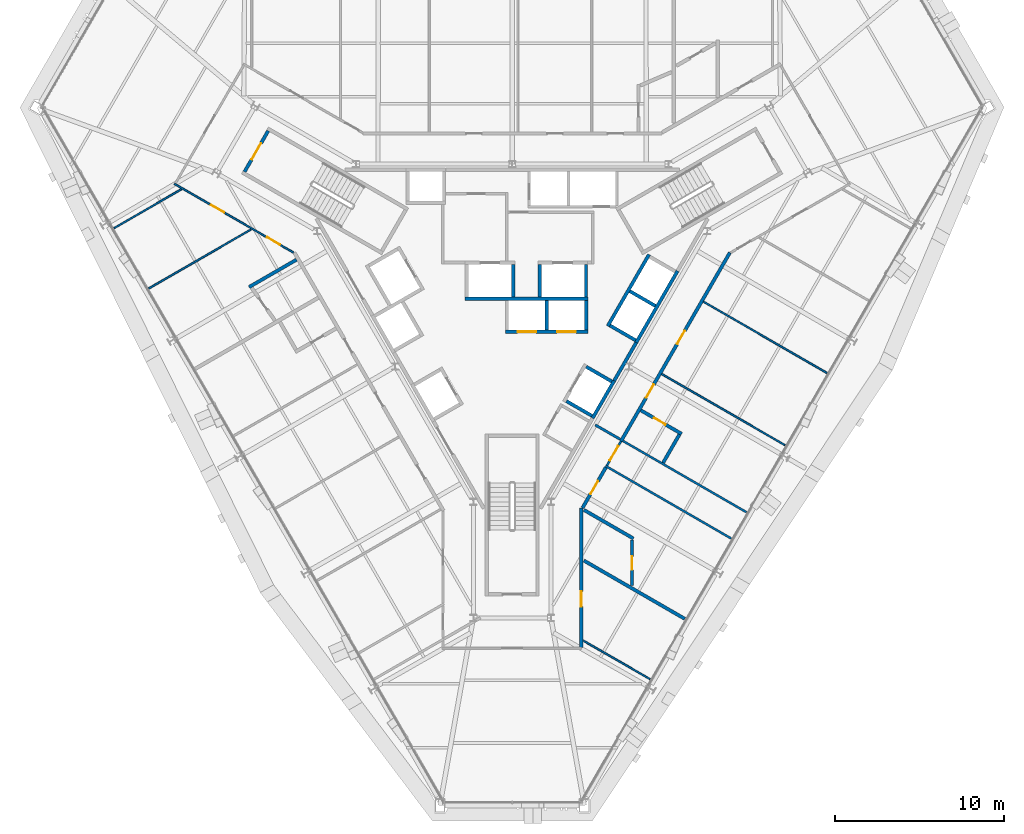
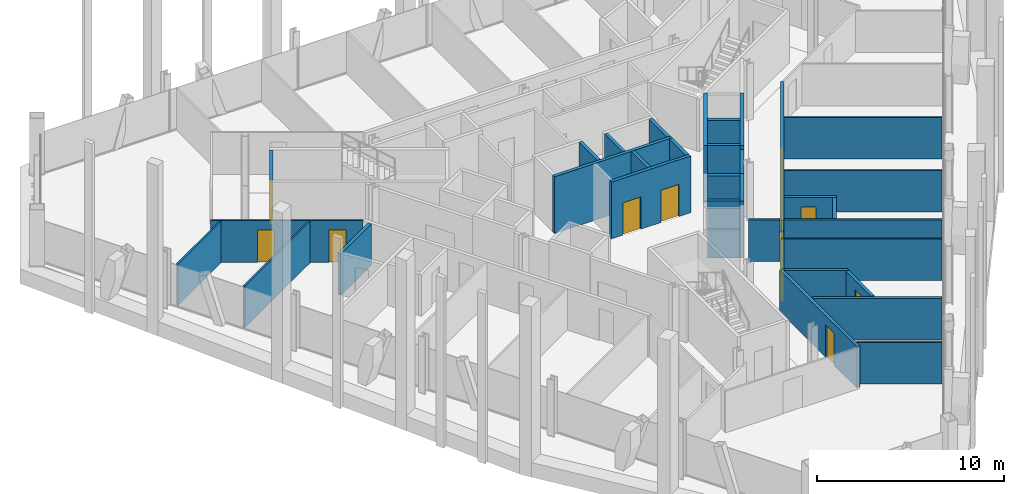
# One storey, part 11 of 15: 35 walls, 12 doors, 12 openings.
"""IFC4 building model written with IfcOpenShell, lengths in metres."""

from ifc_helpers import new_model, si_unit, direction, frame, frame_2d, origin, place, context, subcontext, project, spatial, rectangle, extrude, material, layer, layer_set, type_object, element, fill, save


model = new_model("IFC4")

# Units and contexts
model_context = context("Model", 3, precision=1e-05, world=origin(), true_north=direction((0.0, 1.0)))
body_context = subcontext(model_context, "Body", "Model", "MODEL_VIEW")
ifc_project = project(units=[si_unit("LENGTHUNIT", "METRE"), si_unit("AREAUNIT", "SQUARE_METRE"), si_unit("VOLUMEUNIT", "CUBIC_METRE"), si_unit("PLANEANGLEUNIT", "RADIAN"), si_unit("MASSUNIT", "GRAM", prefix="KILO")], contexts=[model_context])

# Site, building, storey
site_placement = place(None, origin())
site = spatial("IfcSite", under=ifc_project, at=site_placement, CompositionType="ELEMENT")
building_placement = place(site_placement, origin())
building = spatial("IfcBuilding", under=site, at=building_placement, Name="Verrane Prism Tower", CompositionType="ELEMENT")
storey_placement = place(building_placement, frame((0.0, 0.0, 189.5)))
storey = spatial("IfcBuildingStorey", under=building, at=storey_placement, Name="L47", CompositionType="ELEMENT", Elevation=189.5)

# Wall
ifc_material_1 = material(Name="Gypsum board partition", Category="other")
ifc_layer_1 = layer(ifc_material_1, 0.199951171875)
ifc_layer_set_1 = layer_set([ifc_layer_1], Name="CW-200 core boundary wall 2 h")
wall_type_1 = type_object("IfcWallType", Name="CW-200 core boundary wall 2 h", PredefinedType="PARTITIONING", material=ifc_layer_set_1)
wall_1_placement = place(storey_placement, frame((6.0419921875, -4.85498046875, 0.0), z_axis=(0.0, 0.0, 1.0), x_axis=(0.500252727967, 0.865879442048, 0.0)))
element("IfcWall", 1, at=wall_1_placement, inside=storey, type_object=wall_type_1, Name="Core boundary wall CW3-007", PredefinedType="PARTITIONING", context=body_context, shape_type="SweptSolid", body=[
    extrude(rectangle(XDim=2.616943359375, YDim=0.199951171875, at=frame_2d((1.30859375, 0.0))), origin(), (0.0, 0.0, 1.0), 3.449951171875),
])

# Wall, opening, door
ifc_material_2 = material(Name="Concrete C40/50", Category="concrete")
ifc_layer_2 = layer(ifc_material_2, 0.199951171875)
ifc_layer_set_2 = layer_set([ifc_layer_2], Name="CW-200 stair core wall concrete C40/50 3 h")
wall_type_2 = type_object("IfcWallType", Name="CW-200 stair core wall concrete C40/50 3 h", PredefinedType="PARTITIONING", material=ifc_layer_set_2)
wall_2_placement = place(storey_placement, frame((-14.455322265625, 9.96240234375, 0.0), z_axis=(0.0, 0.0, 1.0), x_axis=(-0.500049511043, -0.865996816683, 0.0)))
wall_2 = element("IfcWall", 2, at=wall_2_placement, inside=storey, type_object=wall_type_2, Name="Stair 2 enclosure wall", PredefinedType="PARTITIONING", context=body_context, shape_type="SweptSolid", body=[
    extrude(rectangle(XDim=2.800048828125, YDim=0.199951171875, at=frame_2d((1.39990234375, 0.0))), origin(), (0.0, 0.0, 1.0), 3.449951171875),
])
opening_1_placement = place(wall_2_placement, frame((0.849853515625, 0.0, 0.0)))
opening_1 = element("IfcOpeningElement", 3, at=opening_1_placement, cuts=wall_2, Name="Opening D47501", PredefinedType="OPENING", context=body_context, shape_type="SweptSolid", body=[
    extrude(rectangle(XDim=1.10009765625, YDim=2.10009765625, at=frame_2d((0.550048828125, 1.050048828125))), frame((0.0, 0.10986328125, 0.0), z_axis=(0.0, -1.0, 0.0), x_axis=(1.0, 0.0, 0.0)), (0.0, 0.0, 1.0), 0.219970703125),
])
ifc_material_3 = material(Name="Timber veneered door leaf", Category="wood")
door_type_1 = type_object("IfcDoorType", Name="DR-1100x2100 FD90 single leaf stair", OperationType="NOTDEFINED", PredefinedType="DOOR", material=ifc_material_3)
door_1_placement = place(opening_1_placement, origin())
door_1 = element("IfcDoor", 4, at=door_1_placement, inside=storey, type_object=door_type_1, Name="Stair 2 door", OperationType="SINGLE_SWING_RIGHT", OverallHeight=2.10009765625, OverallWidth=1.10009765625, PredefinedType="DOOR", context=body_context, shape_type="SweptSolid", body=[
    extrude(rectangle(XDim=1.10009765625, YDim=2.10009765625, at=frame_2d((0.550048828125, 1.050048828125))), frame((0.0, 0.02490234375, 0.0), z_axis=(0.0, -1.0, 0.0), x_axis=(1.0, 0.0, 0.0)), (0.0, 0.0, 1.0), 0.050048828125),
])
fill(opening_1, door_1)

# Wall, openings, doors
ifc_material_4 = material(Name="Gypsum board shaft wall assembly", Category="other")
ifc_layer_3 = layer(ifc_material_4, 0.199951171875)
ifc_layer_set_3 = layer_set([ifc_layer_3], Name="HW-200 lift shaft wall 2 h")
wall_type_3 = type_object("IfcWallType", Name="HW-200 lift shaft wall 2 h", PredefinedType="PARTITIONING", material=ifc_layer_set_3)
wall_3_placement = place(storey_placement, frame((-0.405029296875, -1.949951171875, 0.0), z_axis=(0.0, 0.0, 1.0), x_axis=(1.0, 0.0, 0.0)))
wall_3 = element("IfcWall", 5, at=wall_3_placement, inside=storey, type_object=wall_type_3, Name="Lift shaft wall", PredefinedType="PARTITIONING", context=body_context, shape_type="SweptSolid", body=[
    extrude(rectangle(XDim=4.900146484375, YDim=0.199951171875, at=frame_2d((2.4501953125, 0.0))), origin(), (0.0, 0.0, 1.0), 3.699951171875),
])
opening_2_placement = place(wall_3_placement, frame((0.72509765625, 0.0, 0.0)))
opening_2 = element("IfcOpeningElement", 6, at=opening_2_placement, cuts=wall_3, Name="Opening D47503", PredefinedType="OPENING", context=body_context, shape_type="SweptSolid", body=[
    extrude(rectangle(XDim=1.10009765625, YDim=2.10009765625, at=frame_2d((0.550048828125, 1.050048828125))), frame((0.0, 0.10986328125, 0.0), z_axis=(0.0, -1.0, 0.0), x_axis=(1.0, 0.0, 0.0)), (0.0, 0.0, 1.0), 0.219970703125),
])
opening_3_placement = place(wall_3_placement, frame((3.074951171875, 0.0, 0.0)))
opening_3 = element("IfcOpeningElement", 7, at=opening_3_placement, cuts=wall_3, Name="Opening D47504", PredefinedType="OPENING", context=body_context, shape_type="SweptSolid", body=[
    extrude(rectangle(XDim=1.10009765625, YDim=2.10009765625, at=frame_2d((0.550048828125, 1.050048828125))), frame((0.0, 0.10986328125, 0.0), z_axis=(0.0, -1.0, 0.0), x_axis=(1.0, 0.0, 0.0)), (0.0, 0.0, 1.0), 0.219970703125),
])
ifc_material_5 = material(Name="Stainless steel sliding landing door", Category="steel")
door_type_2 = type_object("IfcDoorType", Name="LD-1100x2100 lift landing door FD90 sliding", OperationType="NOTDEFINED", PredefinedType="DOOR", material=ifc_material_5)
door_2_placement = place(opening_2_placement, origin())
door_2 = element("IfcDoor", 8, at=door_2_placement, inside=storey, type_object=door_type_2, Name="Bank B lift 1 landing door", OperationType="SLIDING_TO_LEFT", OverallHeight=2.10009765625, OverallWidth=1.10009765625, PredefinedType="DOOR", context=body_context, shape_type="SweptSolid", body=[
    extrude(rectangle(XDim=1.10009765625, YDim=2.10009765625, at=frame_2d((0.550048828125, 1.050048828125))), frame((0.0, 0.02490234375, 0.0), z_axis=(0.0, -1.0, 0.0), x_axis=(1.0, 0.0, 0.0)), (0.0, 0.0, 1.0), 0.050048828125),
])
fill(opening_2, door_2)
door_3_placement = place(opening_3_placement, origin())
door_3 = element("IfcDoor", 9, at=door_3_placement, inside=storey, type_object=door_type_2, Name="Bank B lift 2 landing door", OperationType="SLIDING_TO_RIGHT", OverallHeight=2.10009765625, OverallWidth=1.10009765625, PredefinedType="DOOR", context=body_context, shape_type="SweptSolid", body=[
    extrude(rectangle(XDim=1.10009765625, YDim=2.10009765625, at=frame_2d((0.550048828125, 1.050048828125))), frame((0.0, 0.02490234375, 0.0), z_axis=(0.0, -1.0, 0.0), x_axis=(1.0, 0.0, 0.0)), (0.0, 0.0, 1.0), 0.050048828125),
])
fill(opening_3, door_3)

# Walls
wall_4_placement = place(storey_placement, frame((-2.784912109375, 0.0, 0.0), z_axis=(0.0, 0.0, 1.0), x_axis=(1.0, 0.0, 0.0)))
element("IfcWall", 10, at=wall_4_placement, inside=storey, type_object=wall_type_3, Name="Lift shaft wall", PredefinedType="PARTITIONING", context=body_context, shape_type="SweptSolid", body=[
    extrude(rectangle(XDim=7.280029296875, YDim=0.199951171875, at=frame_2d((3.64013671875, 0.0))), origin(), (0.0, 0.0, 1.0), 3.699951171875),
])
wall_5_placement = place(storey_placement, frame((4.766357421875, -7.064697265625, 0.0), z_axis=(0.0, 0.0, 1.0), x_axis=(0.499948979701, 0.866054858364, 0.0)))
element("IfcWall", 11, at=wall_5_placement, inside=storey, type_object=wall_type_3, Name="Lift shaft wall", PredefinedType="PARTITIONING", context=body_context, shape_type="SweptSolid", body=[
    extrude(rectangle(XDim=2.550048828125, YDim=0.199951171875, at=frame_2d((1.27490234375, 0.0))), origin(), (0.0, 0.0, 1.0), 3.699951171875),
])
wall_6_placement = place(storey_placement, frame((7.351318359375, -2.587158203125, 0.0), z_axis=(0.0, 0.0, 1.0), x_axis=(0.500002801628, 0.866023786258, 0.0)))
element("IfcWall", 12, at=wall_6_placement, inside=storey, type_object=wall_type_3, Name="Lift shaft wall", PredefinedType="PARTITIONING", context=body_context, shape_type="SweptSolid", body=[
    extrude(rectangle(XDim=4.89990234375, YDim=0.199951171875, at=frame_2d((2.449951171875, 0.0))), origin(), (0.0, 0.0, 1.0), 3.699951171875),
])
wall_7_placement = place(storey_placement, frame((5.66259765625, -1.6123046875, 0.0), z_axis=(0.0, 0.0, 1.0), x_axis=(0.49998122708, 0.866036242063, 0.0)))
element("IfcWall", 13, at=wall_7_placement, inside=storey, type_object=wall_type_3, Name="Lift shaft wall", PredefinedType="PARTITIONING", context=body_context, shape_type="SweptSolid", body=[
    extrude(rectangle(XDim=4.900146484375, YDim=0.199951171875, at=frame_2d((2.4501953125, 0.0))), origin(), (0.0, 0.0, 1.0), 3.699951171875),
])
wall_8_placement = place(storey_placement, frame((4.39501953125, -1.85009765625, 0.0), z_axis=(0.0, 0.0, 1.0), x_axis=(0.0, 1.0, 0.0)))
element("IfcWall", 14, at=wall_8_placement, inside=storey, type_object=wall_type_3, Name="Lift shaft wall", PredefinedType="PARTITIONING", context=body_context, shape_type="SweptSolid", body=[
    extrude(rectangle(XDim=1.75, YDim=0.199951171875, at=frame_2d((0.875, 0.0))), origin(), (0.0, 0.0, 1.0), 3.699951171875),
])
wall_9_placement = place(storey_placement, frame((4.375, 0.10009765625, 0.0), z_axis=(0.0, 0.0, 1.0), x_axis=(0.0, 1.0, 0.0)))
element("IfcWall", 15, at=wall_9_placement, inside=storey, type_object=wall_type_3, Name="Lift shaft wall", PredefinedType="PARTITIONING", context=body_context, shape_type="SweptSolid", body=[
    extrude(rectangle(XDim=1.949951171875, YDim=0.199951171875, at=frame_2d((0.97509765625, 0.0))), origin(), (0.0, 0.0, 1.0), 3.699951171875),
])
wall_10_placement = place(storey_placement, frame((2.044921875, -1.85009765625, 0.0), z_axis=(0.0, 0.0, 1.0), x_axis=(0.0, 1.0, 0.0)))
element("IfcWall", 16, at=wall_10_placement, inside=storey, type_object=wall_type_3, Name="Lift shaft wall", PredefinedType="PARTITIONING", context=body_context, shape_type="SweptSolid", body=[
    extrude(rectangle(XDim=1.75, YDim=0.199951171875, at=frame_2d((0.875, 0.0))), origin(), (0.0, 0.0, 1.0), 3.699951171875),
])
for number, where, z_axis, x_axis, name in (
    (17, (1.625, 0.10009765625, 0.0), (0.0, 0.0, 1.0), (0.0, 1.0, 0.0), "Lift shaft wall"),
    (18, (0.06494140625, 0.10009765625, 0.0), (0.0, 0.0, 1.0), (0.0, 1.0, 0.0), "Lift shaft wall"),
):
    element("IfcWall", number, at=place(storey_placement, frame(where, z_axis=z_axis, x_axis=x_axis)), inside=storey, type_object=wall_type_3, Name=name, PredefinedType="PARTITIONING", context=body_context, shape_type="SweptSolid", body=[
        extrude(rectangle(XDim=1.949951171875, YDim=0.199951171875, at=frame_2d((0.97509765625, 0.0))), origin(), (0.0, 0.0, 1.0), 3.699951171875),
    ])
for number, where, z_axis, x_axis, name in (
    (19, (8.48974609375, -0.41552734375, 0.0), (0.0, 0.0, 1.0), (-0.866036909293, 0.499980071345, 0.0), "Lift shaft wall"),
    (20, (7.314697265625, -2.45068359375, 0.0), (0.0, 0.0, 1.0), (-0.866036909293, 0.499980071345, 0.0), "Lift shaft wall"),
):
    element("IfcWall", number, at=place(storey_placement, frame(where, z_axis=z_axis, x_axis=x_axis)), inside=storey, type_object=wall_type_3, Name=name, PredefinedType="PARTITIONING", context=body_context, shape_type="SweptSolid", body=[
        extrude(rectangle(XDim=1.75, YDim=0.199951171875, at=frame_2d((0.875, 0.0))), origin(), (0.0, 0.0, 1.0), 3.699951171875),
    ])
wall_11_placement = place(storey_placement, frame((5.904541015625, -4.892822265625, 0.0), z_axis=(0.0, 0.0, 1.0), x_axis=(-0.866002029911, 0.500040482552, 0.0)))
element("IfcWall", 21, at=wall_11_placement, inside=storey, type_object=wall_type_3, Name="Lift shaft wall", PredefinedType="PARTITIONING", context=body_context, shape_type="SweptSolid", body=[
    extrude(rectangle(XDim=1.749755859375, YDim=0.199951171875, at=frame_2d((0.875, 0.0))), origin(), (0.0, 0.0, 1.0), 3.699951171875),
])
wall_12_placement = place(storey_placement, frame((4.729736328125, -6.927978515625, 0.0), z_axis=(0.0, 0.0, 1.0), x_axis=(-0.866036909293, 0.499980071345, 0.0)))
element("IfcWall", 22, at=wall_12_placement, inside=storey, type_object=wall_type_3, Name="Lift shaft wall", PredefinedType="PARTITIONING", context=body_context, shape_type="SweptSolid", body=[
    extrude(rectangle(XDim=1.75, YDim=0.199951171875, at=frame_2d((0.875, 0.0))), origin(), (0.0, 0.0, 1.0), 3.699951171875),
])
ifc_material_6 = material(Name="Gypsum board partition", Category="other")
ifc_layer_4 = layer(ifc_material_6, 0.10009765625)
ifc_layer_set_4 = layer_set([ifc_layer_4], Name="PW-100 room partition")
wall_type_4 = type_object("IfcWallType", Name="PW-100 room partition", PredefinedType="PARTITIONING", material=ifc_layer_set_4)
wall_13_placement = place(storey_placement, frame((-23.591796875, 4.19189453125, 0.0), z_axis=(0.0, 0.0, 1.0), x_axis=(0.866056775574, 0.499945658529, 0.0)))
element("IfcWall", 23, at=wall_13_placement, inside=storey, type_object=wall_type_4, Name="Room partition 001", PredefinedType="PARTITIONING", context=body_context, shape_type="SweptSolid", body=[
    extrude(rectangle(XDim=4.60791015625, YDim=0.10009765625, at=frame_2d((2.303955078125, 0.0))), origin(), (0.0, 0.0, 1.0), 2.712890625),
])
wall_14_placement = place(storey_placement, frame((-21.529541015625, 0.6201171875, 0.0), z_axis=(0.0, 0.0, 1.0), x_axis=(0.865986079307, 0.500068105808, 0.0)))
element("IfcWall", 24, at=wall_14_placement, inside=storey, type_object=wall_type_4, Name="Room partition 002", PredefinedType="PARTITIONING", context=body_context, shape_type="SweptSolid", body=[
    extrude(rectangle(XDim=6.990234375, YDim=0.10009765625, at=frame_2d((3.4951171875, 0.0))), origin(), (0.0, 0.0, 1.0), 2.712890625),
])

# Wall, openings, doors
wall_15_placement = place(storey_placement, frame((-12.95166015625, 2.744384765625, 0.0), z_axis=(0.0, 0.0, 1.0), x_axis=(-0.86608949446, 0.499888975259, 0.0)))
wall_15 = element("IfcWall", 25, at=wall_15_placement, inside=storey, type_object=wall_type_4, Name="Room partition 004", PredefinedType="PARTITIONING", context=body_context, shape_type="SweptSolid", body=[
    extrude(rectangle(XDim=8.164794921875, YDim=0.10009765625, at=frame_2d((4.08251953125, 0.0))), origin(), (0.0, 0.0, 1.0), 2.712890625),
])
opening_4_placement = place(wall_15_placement, frame((4.740966796875, 0.0, 0.0)))
opening_4 = element("IfcOpeningElement", 26, at=opening_4_placement, cuts=wall_15, Name="Opening D47019", PredefinedType="OPENING", context=body_context, shape_type="SweptSolid", body=[
    extrude(rectangle(XDim=0.89990234375, YDim=2.10009765625, at=frame_2d((0.449951171875, 1.050048828125))), frame((0.0, 0.06005859375, 0.0), z_axis=(0.0, -1.0, 0.0), x_axis=(1.0, 0.0, 0.0)), (0.0, 0.0, 1.0), 0.1201171875),
])
opening_5_placement = place(wall_15_placement, frame((0.927978515625, 0.0, 0.0)))
opening_5 = element("IfcOpeningElement", 27, at=opening_5_placement, cuts=wall_15, Name="Opening D47020", PredefinedType="OPENING", context=body_context, shape_type="SweptSolid", body=[
    extrude(rectangle(XDim=0.89990234375, YDim=2.10009765625, at=frame_2d((0.449951171875, 1.050048828125))), frame((0.0, 0.06005859375, 0.0), z_axis=(0.0, -1.0, 0.0), x_axis=(1.0, 0.0, 0.0)), (0.0, 0.0, 1.0), 0.1201171875),
])
ifc_material_7 = material(Name="Timber veneered door leaf", Category="wood")
door_type_3 = type_object("IfcDoorType", Name="DR-900x2100 single leaf inner", OperationType="NOTDEFINED", PredefinedType="DOOR", material=ifc_material_7)
door_4_placement = place(opening_5_placement, origin())
door_4 = element("IfcDoor", 28, at=door_4_placement, inside=storey, type_object=door_type_3, Name="Master Bedroom door", OperationType="SINGLE_SWING_LEFT", OverallHeight=2.10009765625, OverallWidth=0.89990234375, PredefinedType="DOOR", context=body_context, shape_type="SweptSolid", body=[
    extrude(rectangle(XDim=0.89990234375, YDim=2.10009765625, at=frame_2d((0.449951171875, 1.050048828125))), frame((0.0, 0.02490234375, 0.0), z_axis=(0.0, -1.0, 0.0), x_axis=(1.0, 0.0, 0.0)), (0.0, 0.0, 1.0), 0.050048828125),
])
fill(opening_5, door_4)
ifc_material_8 = material(Name="Timber veneered door leaf", Category="wood")
door_type_4 = type_object("IfcDoorType", Name="DR-900x2100 single leaf unit", OperationType="NOTDEFINED", PredefinedType="DOOR", material=ifc_material_8)
door_5_placement = place(opening_4_placement, origin())
door_5 = element("IfcDoor", 29, at=door_5_placement, inside=storey, type_object=door_type_4, Name="Kitchen door", OperationType="SINGLE_SWING_RIGHT", OverallHeight=2.10009765625, OverallWidth=0.89990234375, PredefinedType="DOOR", context=body_context, shape_type="SweptSolid", body=[
    extrude(rectangle(XDim=0.89990234375, YDim=2.10009765625, at=frame_2d((0.449951171875, 1.050048828125))), frame((0.0, 0.02490234375, 0.0), z_axis=(0.0, -1.0, 0.0), x_axis=(1.0, 0.0, 0.0)), (0.0, 0.0, 1.0), 0.050048828125),
])
fill(opening_4, door_5)

# Walls
wall_16_placement = place(storey_placement, frame((4.22509765625, -20.252197265625, 0.0), z_axis=(0.0, 0.0, 1.0), x_axis=(0.866048884701, -0.499959327653, 0.0)))
element("IfcWall", 30, at=wall_16_placement, inside=storey, type_object=wall_type_4, Name="Room partition 028", PredefinedType="PARTITIONING", context=body_context, shape_type="SweptSolid", body=[
    extrude(rectangle(XDim=4.55029296875, YDim=0.10009765625, at=frame_2d((2.275146484375, 0.0))), origin(), (0.0, 0.0, 1.0), 2.712890625),
])
wall_17_placement = place(storey_placement, frame((8.868896484375, -4.451416015625, 0.0), z_axis=(0.0, 0.0, 1.0), x_axis=(0.866027858276, -0.499995748672, 0.0)))
element("IfcWall", 31, at=wall_17_placement, inside=storey, type_object=wall_type_4, Name="Room partition 042", PredefinedType="PARTITIONING", context=body_context, shape_type="SweptSolid", body=[
    extrude(rectangle(XDim=8.4287109375, YDim=0.10009765625, at=frame_2d((4.21435546875, 0.0))), origin(), (0.0, 0.0, 1.0), 2.712890625),
])
wall_18_placement = place(storey_placement, frame((11.343017578125, -0.16552734375, 0.0), z_axis=(0.0, 0.0, 1.0), x_axis=(0.866022557401, -0.500004930048, 0.0)))
element("IfcWall", 32, at=wall_18_placement, inside=storey, type_object=wall_type_4, Name="Room partition 047", PredefinedType="PARTITIONING", context=body_context, shape_type="SweptSolid", body=[
    extrude(rectangle(XDim=8.42919921875, YDim=0.10009765625, at=frame_2d((4.214599609375, 0.0))), origin(), (0.0, 0.0, 1.0), 2.712890625),
])

# Wall, opening, door
ifc_material_9 = material(Name="Gypsum board partition", Category="other")
ifc_layer_5 = layer(ifc_material_9, 0.125)
ifc_layer_set_5 = layer_set([ifc_layer_5], Name="PW-125 corridor wall 1 h")
wall_type_5 = type_object("IfcWallType", Name="PW-125 corridor wall 1 h", PredefinedType="PARTITIONING", material=ifc_layer_set_5)
wall_19_placement = place(storey_placement, frame((5.61962890625, -9.86962890625, 0.0), z_axis=(0.0, 0.0, 1.0), x_axis=(0.500142759665, 0.865942965763, 0.0)))
wall_19 = element("IfcWall", 33, at=wall_19_placement, inside=storey, type_object=wall_type_5, Name="Corridor wall 034", PredefinedType="PARTITIONING", context=body_context, shape_type="SweptSolid", body=[
    extrude(rectangle(XDim=1.6591796875, YDim=0.125, at=frame_2d((0.82958984375, 0.0))), origin(), (0.0, 0.0, 1.0), 2.712890625),
])
opening_6_placement = place(wall_19_placement, frame((0.3349609375, 0.0, 0.0)))
opening_6 = element("IfcOpeningElement", 34, at=opening_6_placement, cuts=wall_19, Name="Opening D47028", PredefinedType="OPENING", context=body_context, shape_type="SweptSolid", body=[
    extrude(rectangle(XDim=1.0, YDim=2.10009765625, at=frame_2d((0.5, 1.050048828125))), frame((0.0, 0.072509765625, 0.0), z_axis=(0.0, -1.0, 0.0), x_axis=(1.0, 0.0, 0.0)), (0.0, 0.0, 1.0), 0.14501953125),
])
ifc_material_10 = material(Name="Timber veneered door leaf", Category="wood")
door_type_5 = type_object("IfcDoorType", Name="DR-1000x2100 FD20 single leaf unit", OperationType="NOTDEFINED", PredefinedType="DOOR", material=ifc_material_10)
door_6_placement = place(opening_6_placement, origin())
door_6 = element("IfcDoor", 35, at=door_6_placement, inside=storey, type_object=door_type_5, Name="Entrance Hall door", OperationType="SINGLE_SWING_RIGHT", OverallHeight=2.10009765625, OverallWidth=1.0, PredefinedType="DOOR", context=body_context, shape_type="SweptSolid", body=[
    extrude(rectangle(XDim=1.0, YDim=2.10009765625, at=frame_2d((0.5, 1.050048828125))), frame((0.0, 0.02490234375, 0.0), z_axis=(0.0, -1.0, 0.0), x_axis=(1.0, 0.0, 0.0)), (0.0, 0.0, 1.0), 0.050048828125),
])
fill(opening_6, door_6)

# Walls
wall_20_placement = place(storey_placement, frame((5.532958984375, -9.894775390625, 0.0), z_axis=(0.0, 0.0, 1.0), x_axis=(0.865995449608, -0.500051878567, 0.0)))
element("IfcWall", 36, at=wall_20_placement, inside=storey, type_object=wall_type_5, Name="Corridor wall 035", PredefinedType="PARTITIONING", context=body_context, shape_type="SweptSolid", body=[
    extrude(rectangle(XDim=8.59619140625, YDim=0.125, at=frame_2d((4.298095703125, 0.0))), origin(), (0.0, 0.0, 1.0), 2.712890625),
])
wall_21_placement = place(storey_placement, frame((6.57568359375, -8.419189453125, 0.0), z_axis=(0.0, 0.0, 1.0), x_axis=(0.866048155274, -0.499960591193, 0.0)))
element("IfcWall", 37, at=wall_21_placement, inside=storey, type_object=wall_type_5, Name="Corridor wall 037", PredefinedType="PARTITIONING", context=body_context, shape_type="SweptSolid", body=[
    extrude(rectangle(XDim=8.430908203125, YDim=0.125, at=frame_2d((4.21533203125, 0.0))), origin(), (0.0, 0.0, 1.0), 2.712890625),
])
ifc_material_11 = material(Name="Gypsum board partition", Category="other")
ifc_layer_6 = layer(ifc_material_11, 0.14990234375)
ifc_layer_set_6 = layer_set([ifc_layer_6], Name="PW-150 demising wall 1 h")
wall_type_6 = type_object("IfcWallType", Name="PW-150 demising wall 1 h", PredefinedType="PARTITIONING", material=ifc_layer_set_6)
wall_22_placement = place(storey_placement, frame((4.927978515625, -7.468017578125, 0.0), z_axis=(0.0, 0.0, 1.0), x_axis=(0.866075426483, -0.499913348133, 0.0)))
element("IfcWall", 38, at=wall_22_placement, inside=storey, type_object=wall_type_6, Name="Demising wall 033", PredefinedType="PARTITIONING", context=body_context, shape_type="SweptSolid", body=[
    extrude(rectangle(XDim=1.697509765625, YDim=0.14990234375, at=frame_2d((0.8486328125, 0.0))), origin(), (0.0, 0.0, 1.0), 2.712890625),
])
ifc_material_12 = material(Name="Gypsum board partition", Category="other")
ifc_layer_7 = layer(ifc_material_12, 0.199951171875)
ifc_layer_set_7 = layer_set([ifc_layer_7], Name="PW-200 plumbing wall")
wall_type_7 = type_object("IfcWallType", Name="PW-200 plumbing wall", PredefinedType="PARTITIONING", material=ifc_layer_set_7)
wall_23_placement = place(storey_placement, frame((-15.588623046875, 0.702880859375, 0.0), z_axis=(0.0, 0.0, 1.0), x_axis=(0.86594479446, 0.500139593461, 0.0)))
element("IfcWall", 39, at=wall_23_placement, inside=storey, type_object=wall_type_7, Name="Plumbing wall 009", PredefinedType="PARTITIONING", context=body_context, shape_type="SweptSolid", body=[
    extrude(rectangle(XDim=3.2421875, YDim=0.199951171875, at=frame_2d((1.62109375, 0.0))), origin(), (0.0, 0.0, 1.0), 2.712890625),
])

# Wall, opening, door
wall_24_placement = place(storey_placement, frame((4.10009765625, -12.402099609375, 0.0), z_axis=(0.0, 0.0, 1.0), x_axis=(0.0, -1.0, 0.0)))
wall_24 = element("IfcWall", 40, at=wall_24_placement, inside=storey, type_object=wall_type_7, Name="Plumbing wall 027", PredefinedType="PARTITIONING", context=body_context, shape_type="SweptSolid", body=[
    extrude(rectangle(XDim=8.247802734375, YDim=0.199951171875, at=frame_2d((4.1240234375, 0.0))), origin(), (0.0, 0.0, 1.0), 2.712890625),
])
opening_7_placement = place(wall_24_placement, frame((4.927978515625, 0.0, 0.0)))
opening_7 = element("IfcOpeningElement", 41, at=opening_7_placement, cuts=wall_24, Name="Opening D47001", PredefinedType="OPENING", context=body_context, shape_type="SweptSolid", body=[
    extrude(rectangle(XDim=0.89990234375, YDim=2.10009765625, at=frame_2d((0.449951171875, 1.050048828125))), frame((0.0, 0.10986328125, 0.0), z_axis=(0.0, -1.0, 0.0), x_axis=(1.0, 0.0, 0.0)), (0.0, 0.0, 1.0), 0.219970703125),
])
door_7_placement = place(opening_7_placement, origin())
door_7 = element("IfcDoor", 42, at=door_7_placement, inside=storey, type_object=door_type_4, Name="Kitchen door", OperationType="SINGLE_SWING_RIGHT", OverallHeight=2.10009765625, OverallWidth=0.89990234375, PredefinedType="DOOR", context=body_context, shape_type="SweptSolid", body=[
    extrude(rectangle(XDim=0.89990234375, YDim=2.10009765625, at=frame_2d((0.449951171875, 1.050048828125))), frame((0.0, 0.02490234375, 0.0), z_axis=(0.0, -1.0, 0.0), x_axis=(1.0, 0.0, 0.0)), (0.0, 0.0, 1.0), 0.050048828125),
])
fill(opening_7, door_7)

# Wall
wall_25_placement = place(storey_placement, frame((4.25, -15.503662109375, 0.0), z_axis=(0.0, 0.0, 1.0), x_axis=(0.866025383743, -0.500000034713, 0.0)))
element("IfcWall", 43, at=wall_25_placement, inside=storey, type_object=wall_type_7, Name="Plumbing wall 029", PredefinedType="PARTITIONING", context=body_context, shape_type="SweptSolid", body=[
    extrude(rectangle(XDim=6.90283203125, YDim=0.199951171875, at=frame_2d((3.451416015625, 0.0))), origin(), (0.0, 0.0, 1.0), 2.712890625),
])

# Wall, opening, door
wall_26_placement = place(storey_placement, frame((5.5556640625, -9.980224609375, 0.0), z_axis=(0.0, 0.0, 1.0), x_axis=(-0.499940639567, -0.866059672834, 0.0)))
wall_26 = element("IfcWall", 44, at=wall_26_placement, inside=storey, type_object=wall_type_7, Name="Plumbing wall 030", PredefinedType="PARTITIONING", context=body_context, shape_type="SweptSolid", body=[
    extrude(rectangle(XDim=2.776611328125, YDim=0.199951171875, at=frame_2d((1.38818359375, 0.0))), origin(), (0.0, 0.0, 1.0), 2.712890625),
])
opening_8_placement = place(wall_26_placement, frame((0.936767578125, 0.0, 0.0)))
opening_8 = element("IfcOpeningElement", 45, at=opening_8_placement, cuts=wall_26, Name="Opening D47002", PredefinedType="OPENING", context=body_context, shape_type="SweptSolid", body=[
    extrude(rectangle(XDim=0.89990234375, YDim=2.10009765625, at=frame_2d((0.449951171875, 1.050048828125))), frame((0.0, 0.10986328125, 0.0), z_axis=(0.0, -1.0, 0.0), x_axis=(1.0, 0.0, 0.0)), (0.0, 0.0, 1.0), 0.219970703125),
])
door_8_placement = place(opening_8_placement, origin())
door_8 = element("IfcDoor", 46, at=door_8_placement, inside=storey, type_object=door_type_3, Name="Master Bedroom door", OperationType="SINGLE_SWING_LEFT", OverallHeight=2.10009765625, OverallWidth=0.89990234375, PredefinedType="DOOR", context=body_context, shape_type="SweptSolid", body=[
    extrude(rectangle(XDim=0.89990234375, YDim=2.10009765625, at=frame_2d((0.449951171875, 1.050048828125))), frame((0.0, 0.02490234375, 0.0), z_axis=(0.0, -1.0, 0.0), x_axis=(1.0, 0.0, 0.0)), (0.0, 0.0, 1.0), 0.050048828125),
])
fill(opening_8, door_8)

# Wall
wall_27_placement = place(storey_placement, frame((4.25048828125, -12.501953125, 0.0), z_axis=(0.0, 0.0, 1.0), x_axis=(0.866032087317, -0.499988423603, 0.0)))
element("IfcWall", 47, at=wall_27_placement, inside=storey, type_object=wall_type_7, Name="Plumbing wall 031", PredefinedType="PARTITIONING", context=body_context, shape_type="SweptSolid", body=[
    extrude(rectangle(XDim=3.39013671875, YDim=0.199951171875, at=frame_2d((1.695068359375, 0.0))), origin(), (0.0, 0.0, 1.0), 2.712890625),
])

# Wall, openings, doors
wall_28_placement = place(storey_placement, frame((12.903076171875, 2.745361328125, 0.0), z_axis=(0.0, 0.0, 1.0), x_axis=(-0.499992063946, -0.866029985619, 0.0)))
wall_28 = element("IfcWall", 48, at=wall_28_placement, inside=storey, type_object=wall_type_7, Name="Plumbing wall 036", PredefinedType="PARTITIONING", context=body_context, shape_type="SweptSolid", body=[
    extrude(rectangle(XDim=12.907470703125, YDim=0.199951171875, at=frame_2d((6.45361328125, 0.0))), origin(), (0.0, 0.0, 1.0), 2.712890625),
])
opening_9_placement = place(wall_28_placement, frame((9.032470703125, 0.0, 0.0)))
opening_9 = element("IfcOpeningElement", 49, at=opening_9_placement, cuts=wall_28, Name="Opening D47004", PredefinedType="OPENING", context=body_context, shape_type="SweptSolid", body=[
    extrude(rectangle(XDim=0.89990234375, YDim=2.10009765625, at=frame_2d((0.449951171875, 1.050048828125))), frame((0.0, 0.10986328125, 0.0), z_axis=(0.0, -1.0, 0.0), x_axis=(1.0, 0.0, 0.0)), (0.0, 0.0, 1.0), 0.219970703125),
])
opening_10_placement = place(wall_28_placement, frame((5.349365234375, 0.0, 0.0)))
opening_10 = element("IfcOpeningElement", 50, at=opening_10_placement, cuts=wall_28, Name="Opening D47006", PredefinedType="OPENING", context=body_context, shape_type="SweptSolid", body=[
    extrude(rectangle(XDim=0.89990234375, YDim=2.10009765625, at=frame_2d((0.449951171875, 1.050048828125))), frame((0.0, 0.10986328125, 0.0), z_axis=(0.0, -1.0, 0.0), x_axis=(1.0, 0.0, 0.0)), (0.0, 0.0, 1.0), 0.219970703125),
])
door_9_placement = place(opening_9_placement, origin())
door_9 = element("IfcDoor", 51, at=door_9_placement, inside=storey, type_object=door_type_3, Name="Bedroom door", OperationType="SINGLE_SWING_LEFT", OverallHeight=2.10009765625, OverallWidth=0.89990234375, PredefinedType="DOOR", context=body_context, shape_type="SweptSolid", body=[
    extrude(rectangle(XDim=0.89990234375, YDim=2.10009765625, at=frame_2d((0.449951171875, 1.050048828125))), frame((0.0, 0.02490234375, 0.0), z_axis=(0.0, -1.0, 0.0), x_axis=(1.0, 0.0, 0.0)), (0.0, 0.0, 1.0), 0.050048828125),
])
fill(opening_9, door_9)
door_10_placement = place(opening_10_placement, origin())
door_10 = element("IfcDoor", 52, at=door_10_placement, inside=storey, type_object=door_type_4, Name="Study door", OperationType="SINGLE_SWING_LEFT", OverallHeight=2.10009765625, OverallWidth=0.89990234375, PredefinedType="DOOR", context=body_context, shape_type="SweptSolid", body=[
    extrude(rectangle(XDim=0.89990234375, YDim=2.10009765625, at=frame_2d((0.449951171875, 1.050048828125))), frame((0.0, 0.02490234375, 0.0), z_axis=(0.0, -1.0, 0.0), x_axis=(1.0, 0.0, 0.0)), (0.0, 0.0, 1.0), 0.050048828125),
])
fill(opening_10, door_10)

# Wall, opening, door
wall_29_placement = place(storey_placement, frame((7.10009765625, -16.976806640625, 0.0), z_axis=(0.0, 0.0, 1.0), x_axis=(0.0, 1.0, 0.0)))
wall_29 = element("IfcWall", 53, at=wall_29_placement, inside=storey, type_object=wall_type_7, Name="Plumbing wall 038", PredefinedType="PARTITIONING", context=body_context, shape_type="SweptSolid", body=[
    extrude(rectangle(XDim=2.69482421875, YDim=0.199951171875, at=frame_2d((1.347412109375, 0.0))), origin(), (0.0, 0.0, 1.0), 2.712890625),
])
opening_11_placement = place(wall_29_placement, frame((0.9267578125, 0.0, 0.0)))
opening_11 = element("IfcOpeningElement", 54, at=opening_11_placement, cuts=wall_29, Name="Opening D47003", PredefinedType="OPENING", context=body_context, shape_type="SweptSolid", body=[
    extrude(rectangle(XDim=0.800048828125, YDim=2.10009765625, at=frame_2d((0.39990234375, 1.050048828125))), frame((0.0, 0.10986328125, 0.0), z_axis=(0.0, -1.0, 0.0), x_axis=(1.0, 0.0, 0.0)), (0.0, 0.0, 1.0), 0.219970703125),
])
ifc_material_13 = material(Name="Timber veneered door leaf", Category="wood")
door_type_6 = type_object("IfcDoorType", Name="DR-800x2100 single leaf bath", OperationType="NOTDEFINED", PredefinedType="DOOR", material=ifc_material_13)
door_11_placement = place(opening_11_placement, origin())
door_11 = element("IfcDoor", 55, at=door_11_placement, inside=storey, type_object=door_type_6, Name="Master Bathroom door", OperationType="SINGLE_SWING_LEFT", OverallHeight=2.10009765625, OverallWidth=0.800048828125, PredefinedType="DOOR", context=body_context, shape_type="SweptSolid", body=[
    extrude(rectangle(XDim=0.800048828125, YDim=2.10009765625, at=frame_2d((0.39990234375, 1.050048828125))), frame((0.0, 0.02490234375, 0.0), z_axis=(0.0, -1.0, 0.0), x_axis=(1.0, 0.0, 0.0)), (0.0, 0.0, 1.0), 0.050048828125),
])
fill(opening_11, door_11)

wall_30_placement = place(storey_placement, frame((10.048583984375, -7.9990234375, 0.0), z_axis=(0.0, 0.0, 1.0), x_axis=(-0.866041588165, 0.499971966783, 0.0)))
wall_30 = element("IfcWall", 56, at=wall_30_placement, inside=storey, type_object=wall_type_7, Name="Plumbing wall 041", PredefinedType="PARTITIONING", context=body_context, shape_type="SweptSolid", body=[
    extrude(rectangle(XDim=2.795166015625, YDim=0.199951171875, at=frame_2d((1.3974609375, 0.0))), origin(), (0.0, 0.0, 1.0), 2.712890625),
])
opening_12_placement = place(wall_30_placement, frame((1.10009765625, 0.0, 0.0)))
opening_12 = element("IfcOpeningElement", 57, at=opening_12_placement, cuts=wall_30, Name="Opening D47005", PredefinedType="OPENING", context=body_context, shape_type="SweptSolid", body=[
    extrude(rectangle(XDim=0.800048828125, YDim=2.10009765625, at=frame_2d((0.39990234375, 1.050048828125))), frame((0.0, 0.10986328125, 0.0), z_axis=(0.0, -1.0, 0.0), x_axis=(1.0, 0.0, 0.0)), (0.0, 0.0, 1.0), 0.219970703125),
])
door_12_placement = place(opening_12_placement, origin())
door_12 = element("IfcDoor", 58, at=door_12_placement, inside=storey, type_object=door_type_6, Name="Bathroom door", OperationType="SINGLE_SWING_RIGHT", OverallHeight=2.10009765625, OverallWidth=0.800048828125, PredefinedType="DOOR", context=body_context, shape_type="SweptSolid", body=[
    extrude(rectangle(XDim=0.800048828125, YDim=2.10009765625, at=frame_2d((0.39990234375, 1.050048828125))), frame((0.0, 0.02490234375, 0.0), z_axis=(0.0, -1.0, 0.0), x_axis=(1.0, 0.0, 0.0)), (0.0, 0.0, 1.0), 0.050048828125),
])
fill(opening_12, door_12)

# Wall
wall_31_placement = place(storey_placement, frame((8.94580078125, -9.70947265625, 0.0), z_axis=(0.0, 0.0, 1.0), x_axis=(0.499970304126, 0.866042548026, 0.0)))
element("IfcWall", 59, at=wall_31_placement, inside=storey, type_object=wall_type_7, Name="Plumbing wall 044", PredefinedType="PARTITIONING", context=body_context, shape_type="SweptSolid", body=[
    extrude(rectangle(XDim=1.9326171875, YDim=0.199951171875, at=frame_2d((0.96630859375, 0.0))), origin(), (0.0, 0.0, 1.0), 2.712890625),
])

save(model, "model.ifc")
